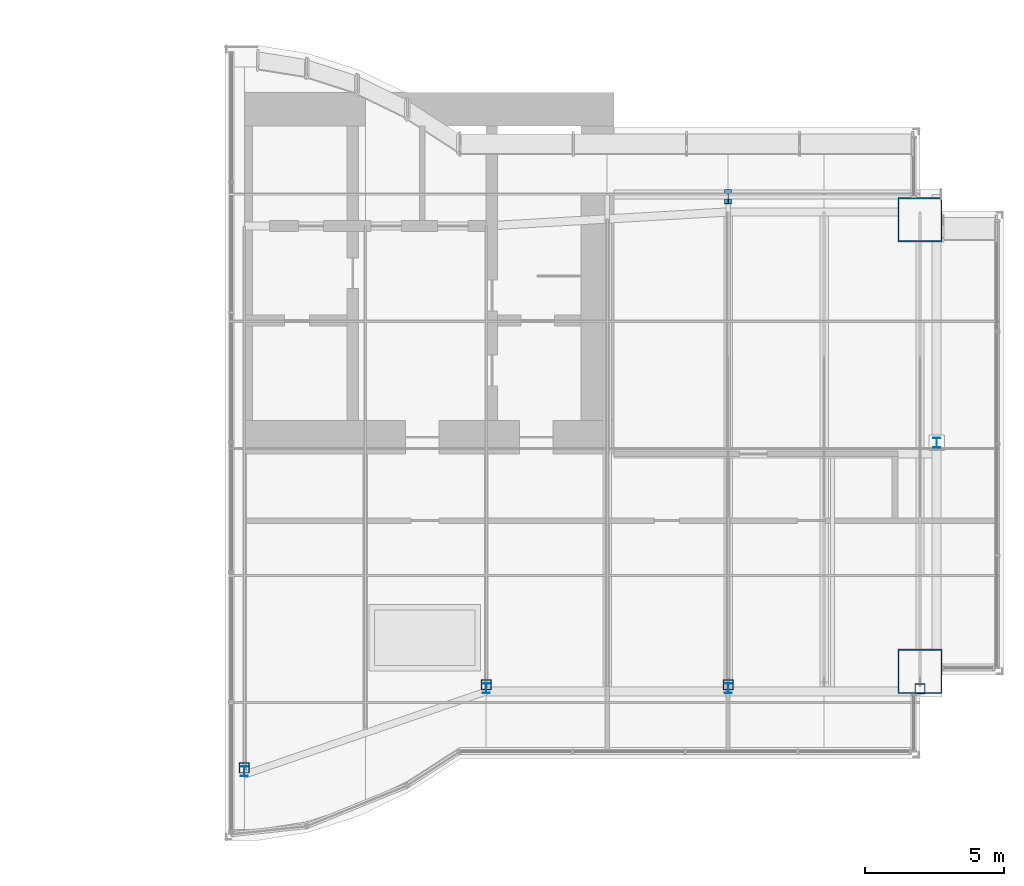
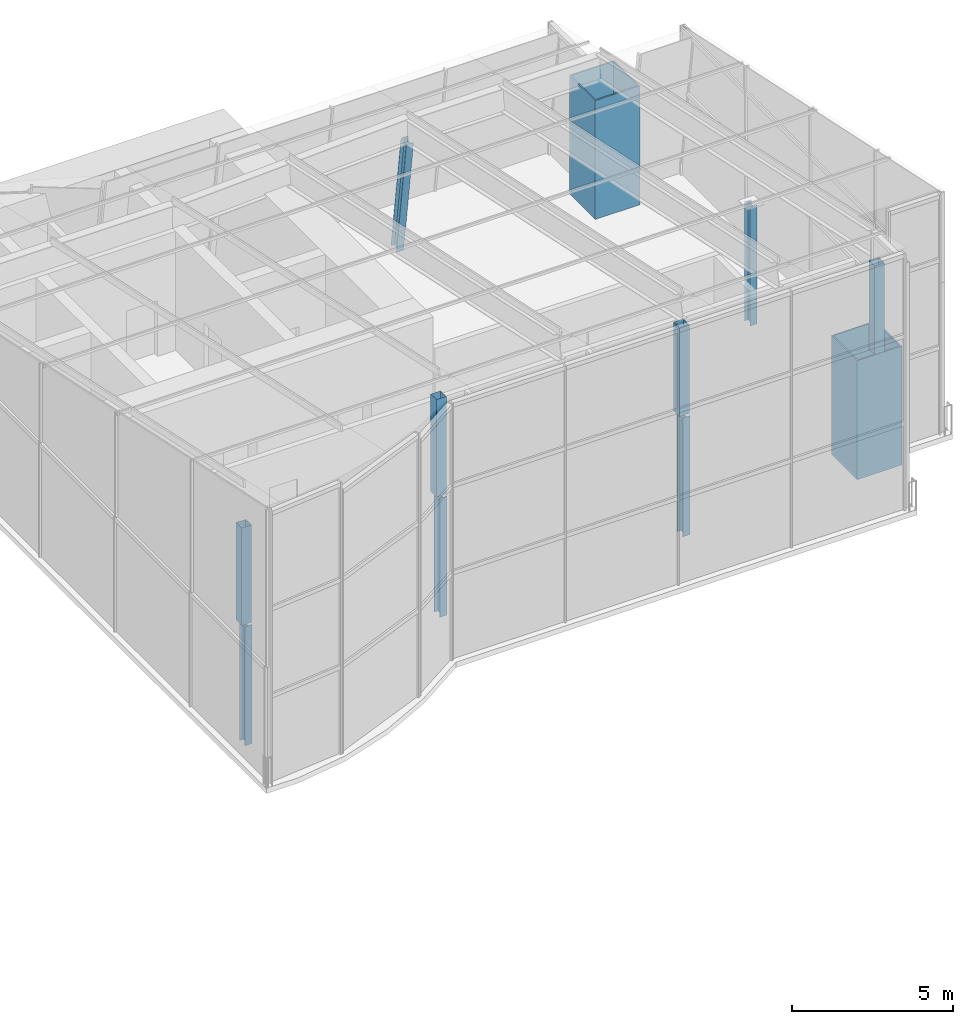
# One storey, part 2 of 17: 11 columns.
"""IFC4 building model written with IfcOpenShell, lengths in metres."""

import ifcopenshell
import ifcopenshell.guid

model = None  # the IFC model being written
_history = None  # IfcOwnerHistory: only IFC2X3 demands one
_inside = {}  # id of a spatial element -> (the spatial element, [elements in it])
_under = {}  # id of a project, library or spatial element -> (it, [spatial elements below it])
_declared = {}  # id of a project -> (the project, [libraries it declares])
_typed = {}  # id of a type object -> (the type object, [elements of that type])
_made_of = {}  # id of a material, layer set ... -> (it, [elements and type objects made of it])


def new_model(schema):
    """Start an empty IFC model of exactly this schema.

    Asked for "IFC4X3", IfcOpenShell would pick the latest addendum, in which some entities
    have other attributes; the version numbers below select the first issue.
    IFC2X3 requires an IfcOwnerHistory on every rooted entity: one is made here for all.
    """
    global model, _history
    if schema == "IFC4X3":
        model = ifcopenshell.file(schema_version=(4, 3, 0, 0))
    else:
        model = ifcopenshell.file(schema=schema)
    _inside.clear()
    _under.clear()
    _declared.clear()
    _typed.clear()
    _made_of.clear()
    _history = None
    if model.schema == "IFC2X3":
        org = make("IfcOrganization", Name="unknown")
        user = make(
            "IfcPersonAndOrganization",
            ThePerson=make("IfcPerson", FamilyName="unknown"),
            TheOrganization=org,
        )
        app = make(
            "IfcApplication",
            ApplicationDeveloper=org,
            Version="unknown",
            ApplicationFullName="unknown",
            ApplicationIdentifier="unknown",
        )
        _history = make(
            "IfcOwnerHistory",
            OwningUser=user,
            OwningApplication=app,
            ChangeAction="ADDED",
            CreationDate=0,
        )
    return model


def make(cls, **values):
    """One entity of the class cls with the attributes given. An attribute that is None is left unset."""
    return model.create_entity(
        cls, **{name: value for name, value in values.items() if value is not None}
    )


def rooted(cls, **values):
    """An entity with a GlobalId (a new one), such as an element, a storey or a relation."""
    return make(cls, GlobalId=ifcopenshell.guid.new(), OwnerHistory=_history, **values)


def si_unit(unit_type, name, prefix=None):
    """IfcSIUnit, for example si_unit("LENGTHUNIT", "METRE", prefix="MILLI")."""
    return make("IfcSIUnit", UnitType=unit_type, Prefix=prefix, Name=name)


def assignment(units):
    """IfcUnitAssignment: the units of a project."""
    return None if units is None else make("IfcUnitAssignment", Units=units)


def point(xyz):
    """IfcCartesianPoint."""
    return None if xyz is None else make("IfcCartesianPoint", Coordinates=xyz)


def direction(xyz):
    """IfcDirection."""
    return None if xyz is None else make("IfcDirection", DirectionRatios=xyz)


def frame(location, z_axis=None, x_axis=None):
    """IfcAxis2Placement3D, a coordinate frame: its origin and axes. An axis left out is left unset."""
    return make(
        "IfcAxis2Placement3D",
        Location=point(location),
        Axis=direction(z_axis),
        RefDirection=direction(x_axis),
    )


def frame_2d(location, x_axis=None):
    """IfcAxis2Placement2D, a coordinate frame in the plane: its origin and x axis."""
    return make(
        "IfcAxis2Placement2D", Location=point(location), RefDirection=direction(x_axis)
    )


def origin():
    """The frame at (0, 0, 0) with its axes left unset."""
    return frame((0.0, 0.0, 0.0))


def origin_2d():
    """The frame at (0, 0) in the plane with its x axis left unset."""
    return frame_2d((0.0, 0.0))


def place(relative_to, where):
    """IfcLocalPlacement: puts the frame where relative to a parent placement (None: the world)."""
    return make(
        "IfcLocalPlacement", PlacementRelTo=relative_to, RelativePlacement=where
    )


def context(
    kind, dimensions, precision=None, world=None, true_north=None, identifier=None
):
    """IfcGeometricRepresentationContext, for example the 3D "Model" context."""
    return make(
        "IfcGeometricRepresentationContext",
        ContextIdentifier=identifier,
        ContextType=kind,
        CoordinateSpaceDimension=dimensions,
        Precision=precision,
        WorldCoordinateSystem=world,
        TrueNorth=true_north,
    )


def subcontext(parent, identifier, kind, view, scale=None):
    """IfcGeometricRepresentationSubContext, for example "Body" below "Model"."""
    return make(
        "IfcGeometricRepresentationSubContext",
        ContextIdentifier=identifier,
        ContextType=kind,
        ParentContext=parent,
        TargetScale=scale,
        TargetView=view,
    )


def project(units=None, contexts=None):
    """IfcProject with its units and contexts."""
    return rooted(
        "IfcProject",
        Name="project",
        RepresentationContexts=contexts,
        UnitsInContext=assignment(units),
    )


def spatial(cls, under=None, at=None, **own):
    """A site, building, storey or space (cls), placed at a placement, below another one or the project."""
    s = rooted(cls, ObjectPlacement=at, **own)
    if under is not None:
        _under.setdefault(under.id(), (under, []))[1].append(s)
    return s


def profile(cls, at=None, kind="AREA", **sizes):
    """A parametric profile (cls). Its sizes go by their IFC names, for example OverallWidth=200.0."""
    return make(cls, ProfileType=kind, Position=at, **sizes)


def hollow_rectangle(**sizes):
    """IfcRectangleHollowProfileDef."""
    return profile("IfcRectangleHollowProfileDef", **sizes)


def i_section(**sizes):
    """IfcIShapeProfileDef."""
    return profile("IfcIShapeProfileDef", **sizes)


def extrude(swept, where, along, depth):
    """IfcExtrudedAreaSolid: the profile swept, set in the frame where, extruded along a direction by depth."""
    return make(
        "IfcExtrudedAreaSolid",
        SweptArea=swept,
        Position=where,
        ExtrudedDirection=direction(along),
        Depth=depth,
    )


def shape(context_of_items, identifier, shape_type, items):
    """IfcShapeRepresentation: the items that make up one representation, for example the "Body"."""
    return make(
        "IfcShapeRepresentation",
        ContextOfItems=context_of_items,
        RepresentationIdentifier=identifier,
        RepresentationType=shape_type,
        Items=items,
    )


def material(Name=None, Category=None):
    """IfcMaterial."""
    return make("IfcMaterial", Name=Name, Category=Category)


def material_profile(
    of_material, cross_section, Name=None, Category=None, Priority=None
):
    """IfcMaterialProfile: a cross section and its material."""
    return make(
        "IfcMaterialProfile",
        Name=Name,
        Material=of_material,
        Profile=cross_section,
        Priority=Priority,
        Category=Category,
    )


def profile_set(profiles, Name=None, composite=None):
    """IfcMaterialProfileSet."""
    return make(
        "IfcMaterialProfileSet",
        Name=Name,
        MaterialProfiles=profiles,
        CompositeProfile=composite,
    )


def made_of(thing, what):
    """Note that an element or type object is made of a material, layer set ...; save() writes the relation."""
    if what is not None:
        _made_of.setdefault(what.id(), (what, []))[1].append(thing)
    return thing


def type_object(cls, material=None, **own):
    """A type object (cls), such as IfcWallType, which elements share."""
    return made_of(rooted(cls, **own), material)


def element(
    cls,
    number,
    at=None,
    inside=None,
    cuts=None,
    type_object=None,
    material=None,
    context=None,
    identifier="Body",
    shape_type=None,
    held_by="IfcProductDefinitionShape",
    body=None,
    shapes=None,
    **own,
):
    """One element of the class cls, such as IfcWall. Its Tag is "e" and its number.

    at: its placement. inside: the storey or other place that contains it. cuts: it is an
    opening in that element (IfcRelVoidsElement). A single representation is given by context,
    identifier, shape_type and body (its items); several are given by shapes. held_by: the class
    of the entity that holds the representations. save() writes the other relations.
    """
    e = rooted(cls, Tag="e%d" % number, ObjectPlacement=at, **own)
    if body is not None:
        shapes = [shape(context, identifier, shape_type, body)]
    if shapes is not None:
        e.Representation = make(held_by, Representations=shapes)
    if inside is not None:
        _inside.setdefault(inside.id(), (inside, []))[1].append(e)
    if cuts is not None:
        rooted(
            "IfcRelVoidsElement", RelatingBuildingElement=cuts, RelatedOpeningElement=e
        )
    if type_object is not None:
        _typed.setdefault(type_object.id(), (type_object, []))[1].append(e)
    return made_of(e, material)


def aggregate(whole, parts):
    """IfcRelAggregates: a whole, such as a stair, and the parts it consists of."""
    return rooted("IfcRelAggregates", RelatingObject=whole, RelatedObjects=parts)


def save(model, path):
    """Write the relations noted so far, then the file.

    IfcRelAggregates (storeys below a building ...), IfcRelContainedInSpatialStructure (elements
    in a storey), IfcRelDefinesByType, IfcRelAssociatesMaterial and IfcRelDeclares: one each for
    every whole, place, type object, material and project.
    """
    for whole, parts in _under.values():
        aggregate(whole, parts)
    for where, things in _inside.values():
        rooted(
            "IfcRelContainedInSpatialStructure",
            RelatedElements=things,
            RelatingStructure=where,
        )
    for kind, things in _typed.values():
        rooted("IfcRelDefinesByType", RelatedObjects=things, RelatingType=kind)
    for what, things in _made_of.values():
        rooted("IfcRelAssociatesMaterial", RelatedObjects=things, RelatingMaterial=what)
    for by, libraries in _declared.values():
        rooted("IfcRelDeclares", RelatingContext=by, RelatedDefinitions=libraries)
    model.write(path)


model = new_model("IFC4")

# Units and contexts
model_context = context("Model", 3, precision=1e-05, world=origin(), true_north=direction((0.0, 1.0)))
body_context = subcontext(model_context, "Body", "Model", "MODEL_VIEW")
ifc_project = project(units=[si_unit("LENGTHUNIT", "METRE"), si_unit("AREAUNIT", "SQUARE_METRE"), si_unit("VOLUMEUNIT", "CUBIC_METRE"), si_unit("PLANEANGLEUNIT", "RADIAN"), si_unit("MASSUNIT", "GRAM", prefix="KILO")], contexts=[model_context])

# Site, building, storey
site_placement = place(None, origin())
site = spatial("IfcSite", under=ifc_project, at=site_placement, CompositionType="ELEMENT")
building_placement = place(site_placement, origin())
building = spatial("IfcBuilding", under=site, at=building_placement, Name="Bicima Exchange Tower", CompositionType="ELEMENT")
storey_placement = place(building_placement, frame((0.0, 0.0, 356.89990234375)))
storey = spatial("IfcBuildingStorey", under=building, at=storey_placement, Name="L80", CompositionType="ELEMENT", Elevation=356.89990234375)

# Columns
ifc_material_1 = material(Name="Steel ASTM A572 Gr 50", Category="steel")
ifc_material_profile_1 = material_profile(ifc_material_1, hollow_rectangle(XDim=1.60009765625, YDim=1.60009765625, WallThickness=0.050048828125, at=origin_2d()))
ifc_profile_set_1 = profile_set([ifc_material_profile_1], Name="Steel ASTM A572 Gr 50")
column_type_1 = type_object("IfcColumnType", Name="Mega column BOX 1600x1600x50", PredefinedType="COLUMN", material=ifc_profile_set_1)
for number, where, z_axis, x_axis, name in (
    (1, (33.0, -20.822021484375, 0.0), (0.0, 0.0, 1.0), (1.0, 0.0, 0.0), "Mega column mega+33.0f"),
    (2, (33.0, -4.5810546875, 0.0), (0.0, 0.0, 1.0), (1.0, 0.0, 0.0), "Mega column mega+33.0r"),
):
    element("IfcColumn", number, at=place(storey_placement, frame(where, z_axis=z_axis, x_axis=x_axis)), inside=storey, type_object=column_type_1, Name=name, PredefinedType="COLUMN", context=body_context, shape_type="SweptSolid", body=[
        extrude(hollow_rectangle(XDim=1.60009765625, YDim=1.60009765625, WallThickness=0.050048828125, at=origin_2d()), origin(), (0.0, 0.0, 1.0), 4.5),
    ])
ifc_material_2 = material(Name="Steel ASTM A992 Gr 50", Category="steel")
ifc_material_profile_2 = material_profile(ifc_material_2, i_section(OverallWidth=0.25390625, OverallDepth=0.35302734375, WebThickness=0.009521484375, FlangeThickness=0.016357421875, at=origin_2d()))
ifc_profile_set_2 = profile_set([ifc_material_profile_2], Name="Steel ASTM A992 Gr 50")
column_type_2 = type_object("IfcColumnType", Name="Perimeter column W14x61", PredefinedType="COLUMN", material=ifc_profile_set_2)
for number, where, z_axis, x_axis, name in (
    (3, (8.699951171875, -24.4130859375, 0.0), (0.0, 0.0, 1.0), (1.0, 0.0, 0.0), "Perimeter column grav+8.7f"),
    (4, (17.39990234375, -21.422119140625, 0.0), (0.0, 0.0, 1.0), (1.0, 0.0, 0.0), "Perimeter column grav+17.4f"),
    (5, (26.10009765625, -21.422119140625, 0.0), (0.0, 0.0, 1.0), (1.0, 0.0, 0.0), "Perimeter column grav+26.1f"),
):
    element("IfcColumn", number, at=place(storey_placement, frame(where, z_axis=z_axis, x_axis=x_axis)), inside=storey, type_object=column_type_2, Name=name, PredefinedType="COLUMN", context=body_context, shape_type="SweptSolid", body=[
        extrude(i_section(OverallWidth=0.25390625, OverallDepth=0.35302734375, WebThickness=0.009521484375, FlangeThickness=0.016357421875, at=origin_2d()), origin(), (0.0, 0.0, 1.0), 4.5),
    ])
column_1_placement = place(storey_placement, frame((26.10009765625, -3.668212890625, 0.0244140625), z_axis=(0.0, -0.139200740592, 0.990264183851), x_axis=(1.0, 0.0, 0.0)))
element("IfcColumn", 6, at=column_1_placement, inside=storey, type_object=column_type_2, Name="Perimeter column grav+26.1r", PredefinedType="COLUMN", context=body_context, shape_type="SweptSolid", body=[
    extrude(i_section(OverallWidth=0.25390625, OverallDepth=0.35302734375, WebThickness=0.009521484375, FlangeThickness=0.016357421875, at=origin_2d()), origin(), (0.0, 0.0, 1.0), 4.4951171875),
])
column_2_placement = place(storey_placement, frame((33.60009765625, -12.60009765625, 0.0), z_axis=(0.0, 0.0, 1.0), x_axis=(1.0, 0.0, 0.0)))
element("IfcColumn", 7, at=column_2_placement, inside=storey, type_object=column_type_2, Name="End column end+33.6e", PredefinedType="COLUMN", context=body_context, shape_type="SweptSolid", body=[
    extrude(i_section(OverallWidth=0.25390625, OverallDepth=0.35302734375, WebThickness=0.009521484375, FlangeThickness=0.016357421875, at=origin_2d()), origin(), (0.0, 0.0, 1.0), 4.5),
])
ifc_material_profile_3 = material_profile(ifc_material_1, hollow_rectangle(XDim=0.355712890625, YDim=0.355712890625, WallThickness=0.01171875, at=origin_2d()))
ifc_profile_set_3 = profile_set([ifc_material_profile_3], Name="Steel ASTM A572 Gr 50")
column_type_3 = type_object("IfcColumnType", Name="Roof post HSS14x14x1/2", PredefinedType="COLUMN", material=ifc_profile_set_3)
for number, where, z_axis, x_axis, name in (
    (8, (8.699951171875, -24.291015625, 4.5), (0.0, 0.0, 1.0), (1.0, 0.0, 0.0), "Roof post"),
    (9, (17.39990234375, -21.300048828125, 4.5), (0.0, 0.0, 1.0), (1.0, 0.0, 0.0), "Roof post"),
):
    element("IfcColumn", number, at=place(storey_placement, frame(where, z_axis=z_axis, x_axis=x_axis)), inside=storey, type_object=column_type_3, Name=name, PredefinedType="COLUMN", context=body_context, shape_type="SweptSolid", body=[
        extrude(hollow_rectangle(XDim=0.355712890625, YDim=0.355712890625, WallThickness=0.01171875, at=origin_2d()), origin(), (0.0, 0.0, 1.0), 3.682373046875),
    ])
column_3_placement = place(storey_placement, frame((26.10009765625, -21.300048828125, 4.5), z_axis=(0.0, 0.0, 1.0), x_axis=(1.0, 0.0, 0.0)))
element("IfcColumn", 10, at=column_3_placement, inside=storey, type_object=column_type_3, Name="Roof post", PredefinedType="COLUMN", context=body_context, shape_type="SweptSolid", body=[
    extrude(hollow_rectangle(XDim=0.355712890625, YDim=0.355712890625, WallThickness=0.01171875, at=origin_2d()), origin(), (0.0, 0.0, 1.0), 3.364501953125),
])
column_4_placement = place(storey_placement, frame((33.0, -21.444091796875, 4.51611328125), z_axis=(0.0, 0.0, 1.0), x_axis=(1.0, 0.0, 0.0)))
element("IfcColumn", 11, at=column_4_placement, inside=storey, type_object=column_type_3, Name="Roof post", PredefinedType="COLUMN", context=body_context, shape_type="SweptSolid", body=[
    extrude(hollow_rectangle(XDim=0.355712890625, YDim=0.355712890625, WallThickness=0.01171875, at=origin_2d()), origin(), (0.0, 0.0, 1.0), 3.348388671875),
])

save(model, "model.ifc")
